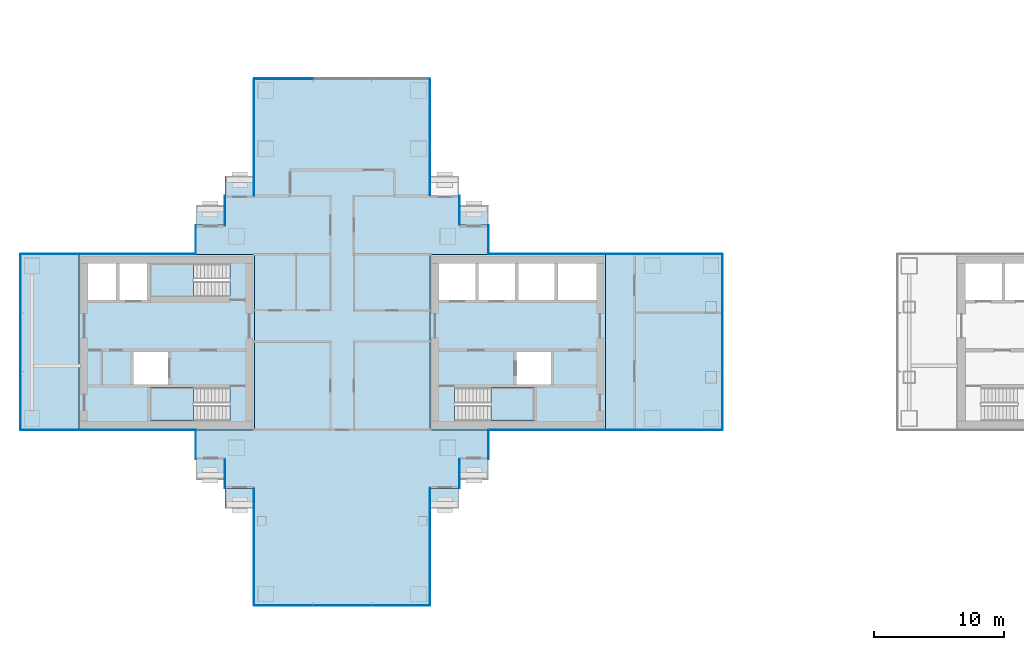
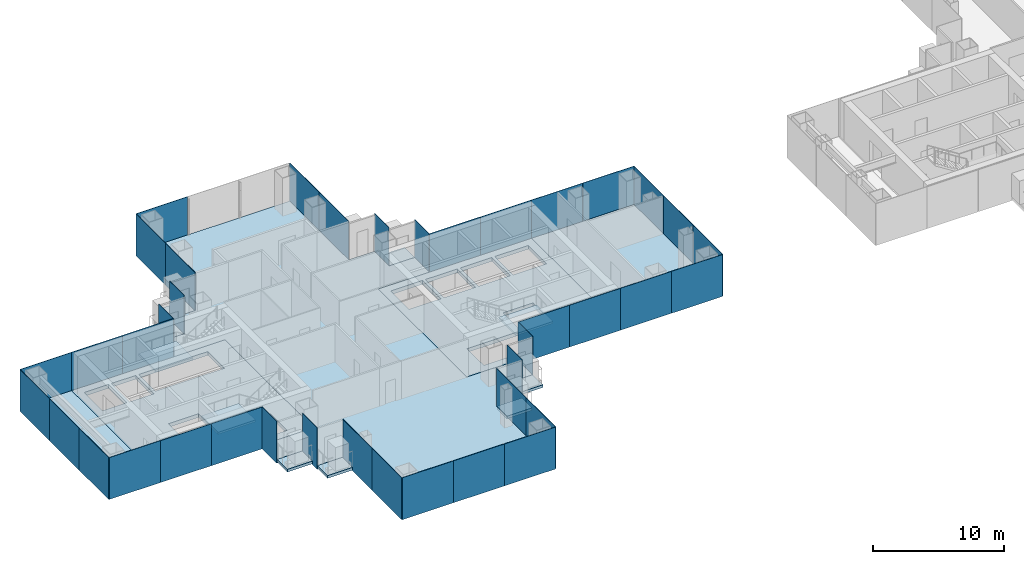
# One storey, part 9 of 20: 40 plates, 15 slabs, 23 elements without a shape of their own.
"""IFC4 building model written with IfcOpenShell, lengths in metres."""

from ifc_helpers import new_model, si_unit, direction, frame, origin, origin_2d, place, context, subcontext, project, spatial, polyline, rectangle, outline, extrude, material, layer, layer_set, type_object, element, aggregate, save


model = new_model("IFC4")

# Units and contexts
model_context = context("Model", 3, precision=1e-05, world=origin(), true_north=direction((0.0, 1.0)))
body_context = subcontext(model_context, "Body", "Model", "MODEL_VIEW")
ifc_project = project(units=[si_unit("LENGTHUNIT", "METRE"), si_unit("AREAUNIT", "SQUARE_METRE"), si_unit("VOLUMEUNIT", "CUBIC_METRE"), si_unit("PLANEANGLEUNIT", "RADIAN"), si_unit("MASSUNIT", "GRAM", prefix="KILO")], contexts=[model_context])

# Site, building, storey
site_placement = place(None, origin())
site = spatial("IfcSite", under=ifc_project, at=site_placement, CompositionType="ELEMENT")
building_placement = place(site_placement, origin())
building = spatial("IfcBuilding", under=site, at=building_placement, Name="Shamsa Quay Exchange Towers", CompositionType="ELEMENT")
storey_placement = place(building_placement, frame((0.0, 0.0, 120.89990234375)))
storey = spatial("IfcBuildingStorey", under=building, at=storey_placement, Name="L28", CompositionType="ELEMENT", Elevation=120.89990234375)

# Slabs
ifc_material_1 = material(Name="Precast concrete C40/50", Category="concrete")
ifc_layer_1 = layer(ifc_material_1, 0.25)
ifc_layer_set_1 = layer_set([ifc_layer_1], Name="BALCONY SLAB 250")
slab_type_1 = type_object("IfcSlabType", Name="BALCONY SLAB 250", PredefinedType="FLOOR", material=ifc_layer_set_1)
slab_1_placement = place(storey_placement, frame((0.0, 0.0, -0.25)))
element("IfcSlab", 1, at=slab_1_placement, inside=storey, type_object=slab_type_1, Name="Balcony T1-PKEN L28", PredefinedType="FLOOR", context=body_context, shape_type="SweptSolid", body=[
    extrude(outline(polyline([(-22.5, 9.0), (-24.7119140625, 9.0), (-24.7119140625, 10.550048828125), (-22.5, 10.550048828125), (-22.5, 9.0)])), origin(), (0.0, 0.0, 1.0), 0.25),
])
slab_2_placement = place(storey_placement, frame((0.0, 0.0, -0.25)))
element("IfcSlab", 2, at=slab_2_placement, inside=storey, type_object=slab_type_1, Name="Balcony T1-PKES L28", PredefinedType="FLOOR", context=body_context, shape_type="SweptSolid", body=[
    extrude(outline(polyline([(-24.7119140625, -9.0), (-22.5, -9.0), (-22.5, -10.550048828125), (-24.7119140625, -10.550048828125), (-24.7119140625, -9.0)])), origin(), (0.0, 0.0, 1.0), 0.25),
])
slab_3_placement = place(storey_placement, frame((0.0, 0.0, -0.25)))
element("IfcSlab", 3, at=slab_3_placement, inside=storey, type_object=slab_type_1, Name="Balcony T1-PKES L28", PredefinedType="FLOOR", context=body_context, shape_type="SweptSolid", body=[
    extrude(outline(polyline([(-26.9619140625, -11.25), (-24.75, -11.25), (-24.75, -12.800048828125), (-26.9619140625, -12.800048828125), (-26.9619140625, -11.25)])), origin(), (0.0, 0.0, 1.0), 0.25),
])
slab_4_placement = place(storey_placement, frame((0.0, 0.0, -0.25)))
element("IfcSlab", 4, at=slab_4_placement, inside=storey, type_object=slab_type_1, Name="Balcony T1-PKWN L28", PredefinedType="FLOOR", context=body_context, shape_type="SweptSolid", body=[
    extrude(outline(polyline([(-40.5380859375, 11.25), (-42.75, 11.25), (-42.75, 12.800048828125), (-40.5380859375, 12.800048828125), (-40.5380859375, 11.25)])), origin(), (0.0, 0.0, 1.0), 0.25),
])
slab_5_placement = place(storey_placement, frame((0.0, 0.0, -0.25)))
element("IfcSlab", 5, at=slab_5_placement, inside=storey, type_object=slab_type_1, Name="Balcony T1-PKWN L28", PredefinedType="FLOOR", context=body_context, shape_type="SweptSolid", body=[
    extrude(outline(polyline([(-42.7880859375, 9.0), (-45.0, 9.0), (-45.0, 10.550048828125), (-42.7880859375, 10.550048828125), (-42.7880859375, 9.0)])), origin(), (0.0, 0.0, 1.0), 0.25),
])
slab_6_placement = place(storey_placement, frame((0.0, 0.0, -0.25)))
element("IfcSlab", 6, at=slab_6_placement, inside=storey, type_object=slab_type_1, Name="Balcony T1-PKWS L28", PredefinedType="FLOOR", context=body_context, shape_type="SweptSolid", body=[
    extrude(outline(polyline([(-45.0, -9.0), (-42.7880859375, -9.0), (-42.7880859375, -10.550048828125), (-45.0, -10.550048828125), (-45.0, -9.0)])), origin(), (0.0, 0.0, 1.0), 0.25),
])
slab_7_placement = place(storey_placement, frame((0.0, 0.0, -0.25)))
element("IfcSlab", 7, at=slab_7_placement, inside=storey, type_object=slab_type_1, Name="Balcony T1-PKWS L28", PredefinedType="FLOOR", context=body_context, shape_type="SweptSolid", body=[
    extrude(outline(polyline([(-42.75, -11.25), (-40.5380859375, -11.25), (-40.5380859375, -12.800048828125), (-42.75, -12.800048828125), (-42.75, -11.25)])), origin(), (0.0, 0.0, 1.0), 0.25),
])
ifc_material_2 = material(Name="Concrete C50/60", Category="concrete")
ifc_layer_2 = layer(ifc_material_2, 0.35009765625)
ifc_layer_set_2 = layer_set([ifc_layer_2], Name="CORE FLOOR 350 C50/60")
slab_type_2 = type_object("IfcSlabType", Name="CORE FLOOR 350 C50/60", PredefinedType="FLOOR", material=ifc_layer_set_2)
slab_8_placement = place(storey_placement, frame((0.0, 0.0, -0.349853515625)))
element("IfcSlab", 8, at=slab_8_placement, inside=storey, type_object=slab_type_2, Name="Core floor T1A", PredefinedType="FLOOR", context=body_context, shape_type="SweptSolid", body=[
    extrude(outline(polyline([(-27.0, -6.75), (-13.5, -6.75), (-13.5, 6.75), (-27.0, 6.75), (-27.0, -6.75)]), holes=[polyline([(-25.099365234375, -6.050048828125), (-25.099365234375, -3.5), (-19.0, -3.5), (-19.0, -6.050048828125), (-25.099365234375, -6.050048828125)]), polyline([(-26.300048828125, 3.25), (-26.300048828125, 6.050048828125), (-23.5, 6.050048828125), (-23.5, 3.25), (-26.300048828125, 3.25)]), polyline([(-23.25, 3.25), (-23.25, 6.050048828125), (-20.449951171875, 6.050048828125), (-20.449951171875, 3.25), (-23.25, 3.25)]), polyline([(-20.199951171875, 3.25), (-20.199951171875, 6.050048828125), (-17.39990234375, 6.050048828125), (-17.39990234375, 3.25), (-20.199951171875, 3.25)]), polyline([(-17.14990234375, 3.25), (-17.14990234375, 6.050048828125), (-14.199951171875, 6.050048828125), (-14.199951171875, 3.25), (-17.14990234375, 3.25)]), polyline([(-20.35009765625, -3.25), (-20.35009765625, -0.75), (-17.699951171875, -0.75), (-17.699951171875, -3.25), (-20.35009765625, -3.25)])]), origin(), (0.0, 0.0, 1.0), 0.349853515625),
])
slab_9_placement = place(storey_placement, frame((0.0, 0.0, -0.349853515625)))
element("IfcSlab", 9, at=slab_9_placement, inside=storey, type_object=slab_type_2, Name="Core floor T1B", PredefinedType="FLOOR", context=body_context, shape_type="SweptSolid", body=[
    extrude(outline(polyline([(-40.5, -6.75), (-40.5, 6.75), (-54.0, 6.75), (-54.0, -6.75), (-40.5, -6.75)]), holes=[polyline([(-42.400634765625, -3.5), (-42.400634765625, -6.050048828125), (-48.5, -6.050048828125), (-48.5, -3.5), (-42.400634765625, -3.5)]), polyline([(-42.400634765625, 6.050048828125), (-42.400634765625, 3.5), (-48.5, 3.5), (-48.5, 6.050048828125), (-42.400634765625, 6.050048828125)]), polyline([(-48.75, 3.25), (-50.89990234375, 3.25), (-50.89990234375, 6.050048828125), (-48.75, 6.050048828125), (-48.75, 3.25)]), polyline([(-51.14990234375, 3.25), (-53.300048828125, 3.25), (-53.300048828125, 6.050048828125), (-51.14990234375, 6.050048828125), (-51.14990234375, 3.25)]), polyline([(-47.14990234375, -3.25), (-49.800048828125, -3.25), (-49.800048828125, -0.75), (-47.14990234375, -0.75), (-47.14990234375, -3.25)])]), origin(), (0.0, 0.0, 1.0), 0.349853515625),
])

# Stair, slab
ifc_material_3 = material(Name="Concrete C40/50", Category="concrete")
stair_type = type_object("IfcStairType", Name="EXIT STAIR 22 RISERS 177 MM", PredefinedType="HALF_TURN_STAIR", material=ifc_material_3)
stair_1_placement = place(storey_placement, origin())
stair_1 = element("IfcStair", 10, at=stair_1_placement, inside=storey, type_object=stair_type, Name="L28 Exit stair ST1", PredefinedType="HALF_TURN_STAIR")
ifc_layer_3 = layer(ifc_material_3, 0.199951171875)
ifc_layer_set_3 = layer_set([ifc_layer_3], Name="CORE STAIR LANDING")
slab_type_3 = type_object("IfcSlabType", Name="CORE STAIR LANDING", PredefinedType="LANDING", material=ifc_layer_set_3)
slab_10_placement = place(storey_placement, frame((0.0, 0.0, 1.75)))
slab_10 = element("IfcSlab", 11, at=slab_10_placement, type_object=slab_type_3, Name="ST1 landing 1", PredefinedType="LANDING", context=body_context, shape_type="SweptSolid", body=[
    extrude(outline(polyline([(-22.300048828125, -6.050048828125), (-19.0, -6.050048828125), (-19.0, -3.5), (-22.300048828125, -3.5), (-22.300048828125, -6.050048828125)])), origin(), (0.0, 0.0, 1.0), 0.2001953125),
])
aggregate(stair_1, [slab_10])

stair_2_placement = place(storey_placement, origin())
stair_2 = element("IfcStair", 12, at=stair_2_placement, inside=storey, type_object=stair_type, Name="L28 Exit stair ST2", PredefinedType="HALF_TURN_STAIR")
slab_11_placement = place(storey_placement, frame((0.0, 0.0, 1.75)))
slab_11 = element("IfcSlab", 13, at=slab_11_placement, type_object=slab_type_3, Name="ST2 landing 1", PredefinedType="LANDING", context=body_context, shape_type="SweptSolid", body=[
    extrude(outline(polyline([(-45.199951171875, -3.5), (-48.5, -3.5), (-48.5, -6.050048828125), (-45.199951171875, -6.050048828125), (-45.199951171875, -3.5)])), origin(), (0.0, 0.0, 1.0), 0.2001953125),
])
aggregate(stair_2, [slab_11])

stair_3_placement = place(storey_placement, origin())
stair_3 = element("IfcStair", 14, at=stair_3_placement, inside=storey, type_object=stair_type, Name="L28 Exit stair ST3", PredefinedType="HALF_TURN_STAIR")
slab_12_placement = place(storey_placement, frame((0.0, 0.0, 1.75)))
slab_12 = element("IfcSlab", 15, at=slab_12_placement, type_object=slab_type_3, Name="ST3 landing 1", PredefinedType="LANDING", context=body_context, shape_type="SweptSolid", body=[
    extrude(outline(polyline([(-45.199951171875, 6.050048828125), (-48.5, 6.050048828125), (-48.5, 3.5), (-45.199951171875, 3.5), (-45.199951171875, 6.050048828125)])), origin(), (0.0, 0.0, 1.0), 0.2001953125),
])
aggregate(stair_3, [slab_12])

# Curtain wall, plates
ifc_material_4 = material(Name="Aluminium EN AW-6063 T6, black anodised", Category="aluminium")
ifc_layer_4 = layer(ifc_material_4, 0.280029296875)
ifc_layer_set_4 = layer_set([ifc_layer_4], Name="CW-1 UNITISED VISION GLASS")
curtain_wall_type_1 = type_object("IfcCurtainWallType", Name="CW-1 UNITISED VISION GLASS", PredefinedType="NOTDEFINED", material=ifc_layer_set_4)
curtain_wall_1_placement = place(storey_placement, origin())
curtain_wall_1 = element("IfcCurtainWall", 16, at=curtain_wall_1_placement, inside=storey, type_object=curtain_wall_type_1, Name="CW1 T1-FLK-V-W L28", PredefinedType="NOTDEFINED")
ifc_material_5 = material(Name="Glass, laminated, dark tinted", Category="glass")
ifc_layer_5 = layer(ifc_material_5, 0.0400390625)
ifc_layer_set_5 = layer_set([ifc_layer_5], Name="CW-1 VISION GLASS 40")
plate_type_1 = type_object("IfcPlateType", Name="CW-1 VISION GLASS 40", PredefinedType="CURTAIN_PANEL", material=ifc_layer_set_5)
plate_1_placement = place(storey_placement, frame((-40.52001953125, -13.52587890625, -0.349853515625), z_axis=(0.0, 0.0, 1.0), x_axis=(0.0, -1.0, 0.0)))
plate_1 = element("IfcPlate", 17, at=plate_1_placement, type_object=plate_type_1, Name="CW1 glass panel", PredefinedType="CURTAIN_PANEL", context=body_context, shape_type="SweptSolid", body=[
    extrude(rectangle(XDim=4.47607421875, YDim=0.0400390625, at=origin_2d()), origin(), (0.0, 0.0, 1.0), 3.89990234375),
])
plate_2_placement = place(storey_placement, frame((-40.52001953125, -18.011962890625, -0.349853515625), z_axis=(0.0, 0.0, 1.0), x_axis=(0.0, -1.0, 0.0)))
plate_2 = element("IfcPlate", 18, at=plate_2_placement, type_object=plate_type_1, Name="CW1 glass panel", PredefinedType="CURTAIN_PANEL", context=body_context, shape_type="SweptSolid", body=[
    extrude(rectangle(XDim=4.47607421875, YDim=0.0400390625, at=origin_2d()), origin(), (0.0, 0.0, 1.0), 3.89990234375),
])
aggregate(curtain_wall_1, [plate_1, plate_2])

curtain_wall_2_placement = place(storey_placement, origin())
curtain_wall_2 = element("IfcCurtainWall", 19, at=curtain_wall_2_placement, inside=storey, type_object=curtain_wall_type_1, Name="CW1 T1-END-V- L28", PredefinedType="NOTDEFINED")
plate_3_placement = place(storey_placement, frame((-38.25244140625, -20.27001953125, -0.349853515625)))
plate_3 = element("IfcPlate", 20, at=plate_3_placement, type_object=plate_type_1, Name="CW1 glass panel", PredefinedType="CURTAIN_PANEL", context=body_context, shape_type="SweptSolid", body=[
    extrude(rectangle(XDim=4.4951171875, YDim=0.0400390625, at=origin_2d()), origin(), (0.0, 0.0, 1.0), 3.89990234375),
])
plate_4_placement = place(storey_placement, frame((-33.75, -20.27001953125, -0.349853515625)))
plate_4 = element("IfcPlate", 21, at=plate_4_placement, type_object=plate_type_1, Name="CW1 glass panel", PredefinedType="CURTAIN_PANEL", context=body_context, shape_type="SweptSolid", body=[
    extrude(rectangle(XDim=4.489990234375, YDim=0.0400390625, at=origin_2d()), origin(), (0.0, 0.0, 1.0), 3.89990234375),
])
plate_5_placement = place(storey_placement, frame((-29.24755859375, -20.27001953125, -0.349853515625)))
plate_5 = element("IfcPlate", 22, at=plate_5_placement, type_object=plate_type_1, Name="CW1 glass panel", PredefinedType="CURTAIN_PANEL", context=body_context, shape_type="SweptSolid", body=[
    extrude(rectangle(XDim=4.4951171875, YDim=0.0400390625, at=origin_2d()), origin(), (0.0, 0.0, 1.0), 3.89990234375),
])
aggregate(curtain_wall_2, [plate_3, plate_4, plate_5])

curtain_wall_3_placement = place(storey_placement, origin())
curtain_wall_3 = element("IfcCurtainWall", 23, at=curtain_wall_3_placement, inside=storey, type_object=curtain_wall_type_1, Name="CW1 T1-FLK-V-E L28", PredefinedType="NOTDEFINED")
plate_6_placement = place(storey_placement, frame((-26.97998046875, -18.00244140625, -0.349853515625), z_axis=(0.0, 0.0, 1.0), x_axis=(0.0, 1.0, 0.0)))
plate_6 = element("IfcPlate", 24, at=plate_6_placement, type_object=plate_type_1, Name="CW1 glass panel", PredefinedType="CURTAIN_PANEL", context=body_context, shape_type="SweptSolid", body=[
    extrude(rectangle(XDim=4.4951171875, YDim=0.0400390625, at=origin_2d()), origin(), (0.0, 0.0, 1.0), 3.89990234375),
])
plate_7_placement = place(storey_placement, frame((-26.97998046875, -13.49755859375, -0.349853515625), z_axis=(0.0, 0.0, 1.0), x_axis=(0.0, 1.0, 0.0)))
plate_7 = element("IfcPlate", 25, at=plate_7_placement, type_object=plate_type_1, Name="CW1 glass panel", PredefinedType="CURTAIN_PANEL", context=body_context, shape_type="SweptSolid", body=[
    extrude(rectangle(XDim=4.4951171875, YDim=0.0400390625, at=origin_2d()), origin(), (0.0, 0.0, 1.0), 3.89990234375),
])
aggregate(curtain_wall_3, [plate_6, plate_7])

curtain_wall_4_placement = place(storey_placement, origin())
curtain_wall_4 = element("IfcCurtainWall", 26, at=curtain_wall_4_placement, inside=storey, type_object=curtain_wall_type_1, Name="CW1 T1-FLK-U+S L28", PredefinedType="NOTDEFINED")
plate_8_placement = place(storey_placement, frame((-11.25244140625, -6.77001953125, -0.349853515625)))
plate_8 = element("IfcPlate", 27, at=plate_8_placement, type_object=plate_type_1, Name="CW1 glass panel", PredefinedType="CURTAIN_PANEL", context=body_context, shape_type="SweptSolid", body=[
    extrude(rectangle(XDim=4.4951171875, YDim=0.0400390625, at=origin_2d()), origin(), (0.0, 0.0, 1.0), 3.89990234375),
])
plate_9_placement = place(storey_placement, frame((-6.74755859375, -6.77001953125, -0.349853515625)))
plate_9 = element("IfcPlate", 28, at=plate_9_placement, type_object=plate_type_1, Name="CW1 glass panel", PredefinedType="CURTAIN_PANEL", context=body_context, shape_type="SweptSolid", body=[
    extrude(rectangle(XDim=4.4951171875, YDim=0.0400390625, at=origin_2d()), origin(), (0.0, 0.0, 1.0), 3.89990234375),
])
aggregate(curtain_wall_4, [plate_8, plate_9])

curtain_wall_5_placement = place(storey_placement, origin())
curtain_wall_5 = element("IfcCurtainWall", 29, at=curtain_wall_5_placement, inside=storey, type_object=curtain_wall_type_1, Name="CW1 T1-END-U+ L28", PredefinedType="NOTDEFINED")
plate_10_placement = place(storey_placement, frame((-4.47998046875, -4.50244140625, -0.349853515625), z_axis=(0.0, 0.0, 1.0), x_axis=(0.0, 1.0, 0.0)))
plate_10 = element("IfcPlate", 30, at=plate_10_placement, type_object=plate_type_1, Name="CW1 glass panel", PredefinedType="CURTAIN_PANEL", context=body_context, shape_type="SweptSolid", body=[
    extrude(rectangle(XDim=4.4951171875, YDim=0.0400390625, at=origin_2d()), origin(), (0.0, 0.0, 1.0), 3.89990234375),
])
plate_11_placement = place(storey_placement, frame((-4.47998046875, 0.0, -0.349853515625), z_axis=(0.0, 0.0, 1.0), x_axis=(0.0, 1.0, 0.0)))
plate_11 = element("IfcPlate", 31, at=plate_11_placement, type_object=plate_type_1, Name="CW1 glass panel", PredefinedType="CURTAIN_PANEL", context=body_context, shape_type="SweptSolid", body=[
    extrude(rectangle(XDim=4.489990234375, YDim=0.0400390625, at=origin_2d()), origin(), (0.0, 0.0, 1.0), 3.89990234375),
])
plate_12_placement = place(storey_placement, frame((-4.47998046875, 4.50244140625, -0.349853515625), z_axis=(0.0, 0.0, 1.0), x_axis=(0.0, 1.0, 0.0)))
plate_12 = element("IfcPlate", 32, at=plate_12_placement, type_object=plate_type_1, Name="CW1 glass panel", PredefinedType="CURTAIN_PANEL", context=body_context, shape_type="SweptSolid", body=[
    extrude(rectangle(XDim=4.4951171875, YDim=0.0400390625, at=origin_2d()), origin(), (0.0, 0.0, 1.0), 3.89990234375),
])
aggregate(curtain_wall_5, [plate_10, plate_11, plate_12])

curtain_wall_6_placement = place(storey_placement, origin())
curtain_wall_6 = element("IfcCurtainWall", 33, at=curtain_wall_6_placement, inside=storey, type_object=curtain_wall_type_1, Name="CW1 T1-FLK-U+N L28", PredefinedType="NOTDEFINED")
plate_13_placement = place(storey_placement, frame((-6.74755859375, 6.77001953125, -0.349853515625), z_axis=(0.0, 0.0, 1.0), x_axis=(-1.0, 0.0, 0.0)))
plate_13 = element("IfcPlate", 34, at=plate_13_placement, type_object=plate_type_1, Name="CW1 glass panel", PredefinedType="CURTAIN_PANEL", context=body_context, shape_type="SweptSolid", body=[
    extrude(rectangle(XDim=4.4951171875, YDim=0.0400390625, at=origin_2d()), origin(), (0.0, 0.0, 1.0), 3.89990234375),
])
plate_14_placement = place(storey_placement, frame((-11.25244140625, 6.77001953125, -0.349853515625), z_axis=(0.0, 0.0, 1.0), x_axis=(-1.0, 0.0, 0.0)))
plate_14 = element("IfcPlate", 35, at=plate_14_placement, type_object=plate_type_1, Name="CW1 glass panel", PredefinedType="CURTAIN_PANEL", context=body_context, shape_type="SweptSolid", body=[
    extrude(rectangle(XDim=4.4951171875, YDim=0.0400390625, at=origin_2d()), origin(), (0.0, 0.0, 1.0), 3.89990234375),
])
aggregate(curtain_wall_6, [plate_13, plate_14])

curtain_wall_7_placement = place(storey_placement, origin())
curtain_wall_7 = element("IfcCurtainWall", 36, at=curtain_wall_7_placement, inside=storey, type_object=curtain_wall_type_1, Name="CW1 T1-FLK-V+E L28", PredefinedType="NOTDEFINED")
plate_15_placement = place(storey_placement, frame((-26.97998046875, 13.52587890625, -0.349853515625), z_axis=(0.0, 0.0, 1.0), x_axis=(0.0, 1.0, 0.0)))
plate_15 = element("IfcPlate", 37, at=plate_15_placement, type_object=plate_type_1, Name="CW1 glass panel", PredefinedType="CURTAIN_PANEL", context=body_context, shape_type="SweptSolid", body=[
    extrude(rectangle(XDim=4.47607421875, YDim=0.0400390625, at=origin_2d()), origin(), (0.0, 0.0, 1.0), 3.89990234375),
])
plate_16_placement = place(storey_placement, frame((-26.97998046875, 18.011962890625, -0.349853515625), z_axis=(0.0, 0.0, 1.0), x_axis=(0.0, 1.0, 0.0)))
plate_16 = element("IfcPlate", 38, at=plate_16_placement, type_object=plate_type_1, Name="CW1 glass panel", PredefinedType="CURTAIN_PANEL", context=body_context, shape_type="SweptSolid", body=[
    extrude(rectangle(XDim=4.47607421875, YDim=0.0400390625, at=origin_2d()), origin(), (0.0, 0.0, 1.0), 3.89990234375),
])
aggregate(curtain_wall_7, [plate_15, plate_16])

# Curtain wall, plate
curtain_wall_8_placement = place(storey_placement, origin())
curtain_wall_8 = element("IfcCurtainWall", 39, at=curtain_wall_8_placement, inside=storey, type_object=curtain_wall_type_1, Name="CW1 T1-END-V+ L28", PredefinedType="NOTDEFINED")
plate_17_placement = place(storey_placement, frame((-38.25244140625, 20.27001953125, -0.349853515625), z_axis=(0.0, 0.0, 1.0), x_axis=(-1.0, 0.0, 0.0)))
plate_17 = element("IfcPlate", 40, at=plate_17_placement, type_object=plate_type_1, Name="CW1 glass panel", PredefinedType="CURTAIN_PANEL", context=body_context, shape_type="SweptSolid", body=[
    extrude(rectangle(XDim=4.4951171875, YDim=0.0400390625, at=origin_2d()), origin(), (0.0, 0.0, 1.0), 3.89990234375),
])
aggregate(curtain_wall_8, [plate_17])

# Curtain wall, plates
curtain_wall_9_placement = place(storey_placement, origin())
curtain_wall_9 = element("IfcCurtainWall", 41, at=curtain_wall_9_placement, inside=storey, type_object=curtain_wall_type_1, Name="CW1 T1-FLK-V+W L28", PredefinedType="NOTDEFINED")
plate_18_placement = place(storey_placement, frame((-40.52001953125, 18.00244140625, -0.349853515625), z_axis=(0.0, 0.0, 1.0), x_axis=(0.0, -1.0, 0.0)))
plate_18 = element("IfcPlate", 42, at=plate_18_placement, type_object=plate_type_1, Name="CW1 glass panel", PredefinedType="CURTAIN_PANEL", context=body_context, shape_type="SweptSolid", body=[
    extrude(rectangle(XDim=4.4951171875, YDim=0.0400390625, at=origin_2d()), origin(), (0.0, 0.0, 1.0), 3.89990234375),
])
plate_19_placement = place(storey_placement, frame((-40.52001953125, 13.49755859375, -0.349853515625), z_axis=(0.0, 0.0, 1.0), x_axis=(0.0, -1.0, 0.0)))
plate_19 = element("IfcPlate", 43, at=plate_19_placement, type_object=plate_type_1, Name="CW1 glass panel", PredefinedType="CURTAIN_PANEL", context=body_context, shape_type="SweptSolid", body=[
    extrude(rectangle(XDim=4.4951171875, YDim=0.0400390625, at=origin_2d()), origin(), (0.0, 0.0, 1.0), 3.89990234375),
])
aggregate(curtain_wall_9, [plate_18, plate_19])

# Curtain wall, plate
curtain_wall_10_placement = place(storey_placement, origin())
curtain_wall_10 = element("IfcCurtainWall", 44, at=curtain_wall_10_placement, inside=storey, type_object=curtain_wall_type_1, Name="CW1 T1-FLK-U-N L28", PredefinedType="NOTDEFINED")
plate_20_placement = place(storey_placement, frame((-56.25, 6.77001953125, -0.349853515625), z_axis=(0.0, 0.0, 1.0), x_axis=(-1.0, 0.0, 0.0)))
plate_20 = element("IfcPlate", 45, at=plate_20_placement, type_object=plate_type_1, Name="CW1 glass panel", PredefinedType="CURTAIN_PANEL", context=body_context, shape_type="SweptSolid", body=[
    extrude(rectangle(XDim=4.5, YDim=0.0400390625, at=origin_2d()), origin(), (0.0, 0.0, 1.0), 3.89990234375),
])
aggregate(curtain_wall_10, [plate_20])

# Curtain wall, plates
curtain_wall_11_placement = place(storey_placement, origin())
curtain_wall_11 = element("IfcCurtainWall", 46, at=curtain_wall_11_placement, inside=storey, type_object=curtain_wall_type_1, Name="CW1 T1-END-U- L28", PredefinedType="NOTDEFINED")
plate_21_placement = place(storey_placement, frame((-58.52001953125, 4.50244140625, -0.349853515625), z_axis=(0.0, 0.0, 1.0), x_axis=(0.0, -1.0, 0.0)))
plate_21 = element("IfcPlate", 47, at=plate_21_placement, type_object=plate_type_1, Name="CW1 glass panel", PredefinedType="CURTAIN_PANEL", context=body_context, shape_type="SweptSolid", body=[
    extrude(rectangle(XDim=4.4951171875, YDim=0.0400390625, at=origin_2d()), origin(), (0.0, 0.0, 1.0), 3.89990234375),
])
plate_22_placement = place(storey_placement, frame((-58.52001953125, 0.0, -0.349853515625), z_axis=(0.0, 0.0, 1.0), x_axis=(0.0, -1.0, 0.0)))
plate_22 = element("IfcPlate", 48, at=plate_22_placement, type_object=plate_type_1, Name="CW1 glass panel", PredefinedType="CURTAIN_PANEL", context=body_context, shape_type="SweptSolid", body=[
    extrude(rectangle(XDim=4.489990234375, YDim=0.0400390625, at=origin_2d()), origin(), (0.0, 0.0, 1.0), 3.89990234375),
])
plate_23_placement = place(storey_placement, frame((-58.52001953125, -4.50244140625, -0.349853515625), z_axis=(0.0, 0.0, 1.0), x_axis=(0.0, -1.0, 0.0)))
plate_23 = element("IfcPlate", 49, at=plate_23_placement, type_object=plate_type_1, Name="CW1 glass panel", PredefinedType="CURTAIN_PANEL", context=body_context, shape_type="SweptSolid", body=[
    extrude(rectangle(XDim=4.4951171875, YDim=0.0400390625, at=origin_2d()), origin(), (0.0, 0.0, 1.0), 3.89990234375),
])
aggregate(curtain_wall_11, [plate_21, plate_22, plate_23])

# Curtain wall, plate
curtain_wall_12_placement = place(storey_placement, origin())
curtain_wall_12 = element("IfcCurtainWall", 50, at=curtain_wall_12_placement, inside=storey, type_object=curtain_wall_type_1, Name="CW1 T1-FLK-U-S L28", PredefinedType="NOTDEFINED")
plate_24_placement = place(storey_placement, frame((-56.25, -6.77001953125, -0.349853515625)))
plate_24 = element("IfcPlate", 51, at=plate_24_placement, type_object=plate_type_1, Name="CW1 glass panel", PredefinedType="CURTAIN_PANEL", context=body_context, shape_type="SweptSolid", body=[
    extrude(rectangle(XDim=4.5, YDim=0.0400390625, at=origin_2d()), origin(), (0.0, 0.0, 1.0), 3.89990234375),
])
aggregate(curtain_wall_12, [plate_24])

# Curtain wall, plates
ifc_layer_6 = layer(ifc_material_4, 0.303955078125)
ifc_layer_set_6 = layer_set([ifc_layer_6], Name="CW-2 UNITISED OPAQUE SPANDREL GLASS")
curtain_wall_type_2 = type_object("IfcCurtainWallType", Name="CW-2 UNITISED OPAQUE SPANDREL GLASS", PredefinedType="NOTDEFINED", material=ifc_layer_set_6)
curtain_wall_13_placement = place(storey_placement, origin())
curtain_wall_13 = element("IfcCurtainWall", 52, at=curtain_wall_13_placement, inside=storey, type_object=curtain_wall_type_2, Name="CW2 T1-FLK-U+S L28", PredefinedType="NOTDEFINED")
ifc_material_6 = material(Name="Glass, laminated, black enamelled opaque", Category="glass")
ifc_layer_7 = layer(ifc_material_6, 0.0439453125)
ifc_layer_set_7 = layer_set([ifc_layer_7], Name="CW-2 SPANDREL GLASS 44")
plate_type_2 = type_object("IfcPlateType", Name="CW-2 SPANDREL GLASS 44", PredefinedType="CURTAIN_PANEL", material=ifc_layer_set_7)
plate_25_placement = place(storey_placement, frame((-20.22412109375, -6.77197265625, -0.349853515625)))
plate_25 = element("IfcPlate", 53, at=plate_25_placement, type_object=plate_type_2, Name="CW2 glass panel", PredefinedType="CURTAIN_PANEL", context=body_context, shape_type="SweptSolid", body=[
    extrude(rectangle(XDim=4.47607421875, YDim=0.0439453125, at=origin_2d()), origin(), (0.0, 0.0, 1.0), 3.89990234375),
])
plate_26_placement = place(storey_placement, frame((-15.738037109375, -6.77197265625, -0.349853515625)))
plate_26 = element("IfcPlate", 54, at=plate_26_placement, type_object=plate_type_2, Name="CW2 glass panel", PredefinedType="CURTAIN_PANEL", context=body_context, shape_type="SweptSolid", body=[
    extrude(rectangle(XDim=4.47607421875, YDim=0.0439453125, at=origin_2d()), origin(), (0.0, 0.0, 1.0), 3.89990234375),
])
aggregate(curtain_wall_13, [plate_25, plate_26])

curtain_wall_14_placement = place(storey_placement, origin())
curtain_wall_14 = element("IfcCurtainWall", 55, at=curtain_wall_14_placement, inside=storey, type_object=curtain_wall_type_2, Name="CW2 T1-FLK-U+N L28", PredefinedType="NOTDEFINED")
plate_27_placement = place(storey_placement, frame((-15.74755859375, 6.77197265625, -0.349853515625), z_axis=(0.0, 0.0, 1.0), x_axis=(-1.0, 0.0, 0.0)))
plate_27 = element("IfcPlate", 56, at=plate_27_placement, type_object=plate_type_2, Name="CW2 glass panel", PredefinedType="CURTAIN_PANEL", context=body_context, shape_type="SweptSolid", body=[
    extrude(rectangle(XDim=4.4951171875, YDim=0.0439453125, at=origin_2d()), origin(), (0.0, 0.0, 1.0), 3.89990234375),
])
plate_28_placement = place(storey_placement, frame((-20.25244140625, 6.77197265625, -0.349853515625), z_axis=(0.0, 0.0, 1.0), x_axis=(-1.0, 0.0, 0.0)))
plate_28 = element("IfcPlate", 57, at=plate_28_placement, type_object=plate_type_2, Name="CW2 glass panel", PredefinedType="CURTAIN_PANEL", context=body_context, shape_type="SweptSolid", body=[
    extrude(rectangle(XDim=4.4951171875, YDim=0.0439453125, at=origin_2d()), origin(), (0.0, 0.0, 1.0), 3.89990234375),
])
aggregate(curtain_wall_14, [plate_27, plate_28])

curtain_wall_15_placement = place(storey_placement, origin())
curtain_wall_15 = element("IfcCurtainWall", 58, at=curtain_wall_15_placement, inside=storey, type_object=curtain_wall_type_2, Name="CW2 T1-FLK-U-N L28", PredefinedType="NOTDEFINED")
plate_29_placement = place(storey_placement, frame((-47.27587890625, 6.77197265625, -0.349853515625), z_axis=(0.0, 0.0, 1.0), x_axis=(-1.0, 0.0, 0.0)))
plate_29 = element("IfcPlate", 59, at=plate_29_placement, type_object=plate_type_2, Name="CW2 glass panel", PredefinedType="CURTAIN_PANEL", context=body_context, shape_type="SweptSolid", body=[
    extrude(rectangle(XDim=4.47607421875, YDim=0.0439453125, at=origin_2d()), origin(), (0.0, 0.0, 1.0), 3.89990234375),
])
plate_30_placement = place(storey_placement, frame((-51.761962890625, 6.77197265625, -0.349853515625), z_axis=(0.0, 0.0, 1.0), x_axis=(-1.0, 0.0, 0.0)))
plate_30 = element("IfcPlate", 60, at=plate_30_placement, type_object=plate_type_2, Name="CW2 glass panel", PredefinedType="CURTAIN_PANEL", context=body_context, shape_type="SweptSolid", body=[
    extrude(rectangle(XDim=4.47607421875, YDim=0.0439453125, at=origin_2d()), origin(), (0.0, 0.0, 1.0), 3.89990234375),
])
aggregate(curtain_wall_15, [plate_29, plate_30])

curtain_wall_16_placement = place(storey_placement, origin())
curtain_wall_16 = element("IfcCurtainWall", 61, at=curtain_wall_16_placement, inside=storey, type_object=curtain_wall_type_2, Name="CW2 T1-FLK-U-S L28", PredefinedType="NOTDEFINED")
plate_31_placement = place(storey_placement, frame((-51.75244140625, -6.77197265625, -0.349853515625)))
plate_31 = element("IfcPlate", 62, at=plate_31_placement, type_object=plate_type_2, Name="CW2 glass panel", PredefinedType="CURTAIN_PANEL", context=body_context, shape_type="SweptSolid", body=[
    extrude(rectangle(XDim=4.4951171875, YDim=0.0439453125, at=origin_2d()), origin(), (0.0, 0.0, 1.0), 3.89990234375),
])
plate_32_placement = place(storey_placement, frame((-47.24755859375, -6.77197265625, -0.349853515625)))
plate_32 = element("IfcPlate", 63, at=plate_32_placement, type_object=plate_type_2, Name="CW2 glass panel", PredefinedType="CURTAIN_PANEL", context=body_context, shape_type="SweptSolid", body=[
    extrude(rectangle(XDim=4.4951171875, YDim=0.0439453125, at=origin_2d()), origin(), (0.0, 0.0, 1.0), 3.89990234375),
])
aggregate(curtain_wall_16, [plate_31, plate_32])

ifc_layer_8 = layer(ifc_material_4, 0.256103515625)
ifc_layer_set_8 = layer_set([ifc_layer_8], Name="CW-4 POCKET SERRATED GLAZING")
curtain_wall_type_3 = type_object("IfcCurtainWallType", Name="CW-4 POCKET SERRATED GLAZING", PredefinedType="NOTDEFINED", material=ifc_layer_set_8)
curtain_wall_17_placement = place(storey_placement, origin())
curtain_wall_17 = element("IfcCurtainWall", 64, at=curtain_wall_17_placement, inside=storey, type_object=curtain_wall_type_3, Name="CW4 PKWS L28", PredefinedType="NOTDEFINED")
ifc_layer_9 = layer(ifc_material_5, 0.035888671875)
ifc_layer_set_9 = layer_set([ifc_layer_9], Name="CW-4 POCKET GLASS 36")
plate_type_3 = type_object("IfcPlateType", Name="CW-4 POCKET GLASS 36", PredefinedType="CURTAIN_PANEL", material=ifc_layer_set_9)
plate_33_placement = place(storey_placement, frame((-42.76806640625, -10.14404296875, -0.349853515625), z_axis=(0.0, 0.0, 1.0), x_axis=(0.0, -1.0, 0.0)))
plate_33 = element("IfcPlate", 65, at=plate_33_placement, type_object=plate_type_3, Name="CW4 glass panel", PredefinedType="CURTAIN_PANEL", context=body_context, shape_type="SweptSolid", body=[
    extrude(rectangle(XDim=2.2119140625, YDim=0.035888671875, at=origin_2d()), origin(), (0.0, 0.0, 1.0), 3.89990234375),
])
plate_34_placement = place(storey_placement, frame((-45.01806640625, -7.89794921875, -0.349853515625), z_axis=(0.0, 0.0, 1.0), x_axis=(0.0, -1.0, 0.0)))
plate_34 = element("IfcPlate", 66, at=plate_34_placement, type_object=plate_type_3, Name="CW4 glass panel", PredefinedType="CURTAIN_PANEL", context=body_context, shape_type="SweptSolid", body=[
    extrude(rectangle(XDim=2.2041015625, YDim=0.035888671875, at=origin_2d()), origin(), (0.0, 0.0, 1.0), 3.89990234375),
])
aggregate(curtain_wall_17, [plate_33, plate_34])

curtain_wall_18_placement = place(storey_placement, origin())
curtain_wall_18 = element("IfcCurtainWall", 67, at=curtain_wall_18_placement, inside=storey, type_object=curtain_wall_type_3, Name="CW4 PKES L28", PredefinedType="NOTDEFINED")
plate_35_placement = place(storey_placement, frame((-24.73193359375, -10.125, -0.349853515625), z_axis=(0.0, 0.0, 1.0), x_axis=(0.0, 1.0, 0.0)))
plate_35 = element("IfcPlate", 68, at=plate_35_placement, type_object=plate_type_3, Name="CW4 glass panel", PredefinedType="CURTAIN_PANEL", context=body_context, shape_type="SweptSolid", body=[
    extrude(rectangle(XDim=2.25, YDim=0.035888671875, at=origin_2d()), origin(), (0.0, 0.0, 1.0), 3.89990234375),
])
plate_36_placement = place(storey_placement, frame((-22.48193359375, -7.875, -0.349853515625), z_axis=(0.0, 0.0, 1.0), x_axis=(0.0, 1.0, 0.0)))
plate_36 = element("IfcPlate", 69, at=plate_36_placement, type_object=plate_type_3, Name="CW4 glass panel", PredefinedType="CURTAIN_PANEL", context=body_context, shape_type="SweptSolid", body=[
    extrude(rectangle(XDim=2.25, YDim=0.035888671875, at=origin_2d()), origin(), (0.0, 0.0, 1.0), 3.89990234375),
])
aggregate(curtain_wall_18, [plate_35, plate_36])

curtain_wall_19_placement = place(storey_placement, origin())
curtain_wall_19 = element("IfcCurtainWall", 70, at=curtain_wall_19_placement, inside=storey, type_object=curtain_wall_type_3, Name="CW4 PKEN L28", PredefinedType="NOTDEFINED")
plate_37_placement = place(storey_placement, frame((-22.48193359375, 7.89794921875, -0.349853515625), z_axis=(0.0, 0.0, 1.0), x_axis=(0.0, 1.0, 0.0)))
plate_37 = element("IfcPlate", 71, at=plate_37_placement, type_object=plate_type_3, Name="CW4 glass panel", PredefinedType="CURTAIN_PANEL", context=body_context, shape_type="SweptSolid", body=[
    extrude(rectangle(XDim=2.2041015625, YDim=0.035888671875, at=origin_2d()), origin(), (0.0, 0.0, 1.0), 3.89990234375),
])
plate_38_placement = place(storey_placement, frame((-24.73193359375, 10.14404296875, -0.349853515625), z_axis=(0.0, 0.0, 1.0), x_axis=(0.0, 1.0, 0.0)))
plate_38 = element("IfcPlate", 72, at=plate_38_placement, type_object=plate_type_3, Name="CW4 glass panel", PredefinedType="CURTAIN_PANEL", context=body_context, shape_type="SweptSolid", body=[
    extrude(rectangle(XDim=2.2119140625, YDim=0.035888671875, at=origin_2d()), origin(), (0.0, 0.0, 1.0), 3.89990234375),
])
aggregate(curtain_wall_19, [plate_37, plate_38])

curtain_wall_20_placement = place(storey_placement, origin())
curtain_wall_20 = element("IfcCurtainWall", 73, at=curtain_wall_20_placement, inside=storey, type_object=curtain_wall_type_3, Name="CW4 PKWN L28", PredefinedType="NOTDEFINED")
plate_39_placement = place(storey_placement, frame((-42.76806640625, 10.125, -0.349853515625), z_axis=(0.0, 0.0, 1.0), x_axis=(0.0, -1.0, 0.0)))
plate_39 = element("IfcPlate", 74, at=plate_39_placement, type_object=plate_type_3, Name="CW4 glass panel", PredefinedType="CURTAIN_PANEL", context=body_context, shape_type="SweptSolid", body=[
    extrude(rectangle(XDim=2.25, YDim=0.035888671875, at=origin_2d()), origin(), (0.0, 0.0, 1.0), 3.89990234375),
])
plate_40_placement = place(storey_placement, frame((-45.01806640625, 7.875, -0.349853515625), z_axis=(0.0, 0.0, 1.0), x_axis=(0.0, -1.0, 0.0)))
plate_40 = element("IfcPlate", 75, at=plate_40_placement, type_object=plate_type_3, Name="CW4 glass panel", PredefinedType="CURTAIN_PANEL", context=body_context, shape_type="SweptSolid", body=[
    extrude(rectangle(XDim=2.25, YDim=0.035888671875, at=origin_2d()), origin(), (0.0, 0.0, 1.0), 3.89990234375),
])
aggregate(curtain_wall_20, [plate_39, plate_40])

# Slabs
ifc_layer_10 = layer(ifc_material_3, 0.35009765625)
ifc_layer_set_10 = layer_set([ifc_layer_10], Name="Flat slab 350")
slab_type_4 = type_object("IfcSlabType", Name="Flat slab 350", PredefinedType="FLOOR", material=ifc_layer_set_10)
slab_13_placement = place(storey_placement, frame((0.0, 0.0, -0.349853515625)))
element("IfcSlab", 76, at=slab_13_placement, inside=storey, type_object=slab_type_4, Name="Flat slab T1 L28 1", PredefinedType="FLOOR", context=body_context, shape_type="SweptSolid", body=[
    extrude(outline(polyline([(-58.5, -6.75), (-54.0, -6.75), (-54.0, 6.75), (-58.5, 6.75), (-58.5, -6.75)])), origin(), (0.0, 0.0, 1.0), 0.349853515625),
])
slab_14_placement = place(storey_placement, frame((0.0, 0.0, -0.349853515625)))
element("IfcSlab", 77, at=slab_14_placement, inside=storey, type_object=slab_type_4, Name="Flat slab T1 L28 2", PredefinedType="FLOOR", context=body_context, shape_type="SweptSolid", body=[
    extrude(outline(polyline([(-22.5, -9.0), (-22.5, -6.75), (-27.0, -6.75), (-27.0, 6.75), (-22.5, 6.75), (-22.5, 9.0), (-24.75, 9.0), (-24.75, 11.25), (-27.0, 11.25), (-27.0, 20.25), (-40.5, 20.25), (-40.5, 11.25), (-42.75, 11.25), (-42.75, 9.0), (-45.0, 9.0), (-45.0, 6.75), (-40.5, 6.75), (-40.5, -6.75), (-45.0, -6.75), (-45.0, -9.0), (-42.75, -9.0), (-42.75, -11.25), (-40.5, -11.25), (-40.5, -20.25), (-27.0, -20.25), (-27.0, -11.25), (-24.75, -11.25), (-24.75, -9.0), (-22.5, -9.0)])), origin(), (0.0, 0.0, 1.0), 0.349853515625),
])
slab_15_placement = place(storey_placement, frame((0.0, 0.0, -0.349853515625)))
element("IfcSlab", 78, at=slab_15_placement, inside=storey, type_object=slab_type_4, Name="Flat slab T1 L28 3", PredefinedType="FLOOR", context=body_context, shape_type="SweptSolid", body=[
    extrude(outline(polyline([(-4.5, 6.75), (-13.5, 6.75), (-13.5, -6.75), (-4.5, -6.75), (-4.5, 6.75)])), origin(), (0.0, 0.0, 1.0), 0.349853515625),
])

save(model, "model.ifc")
